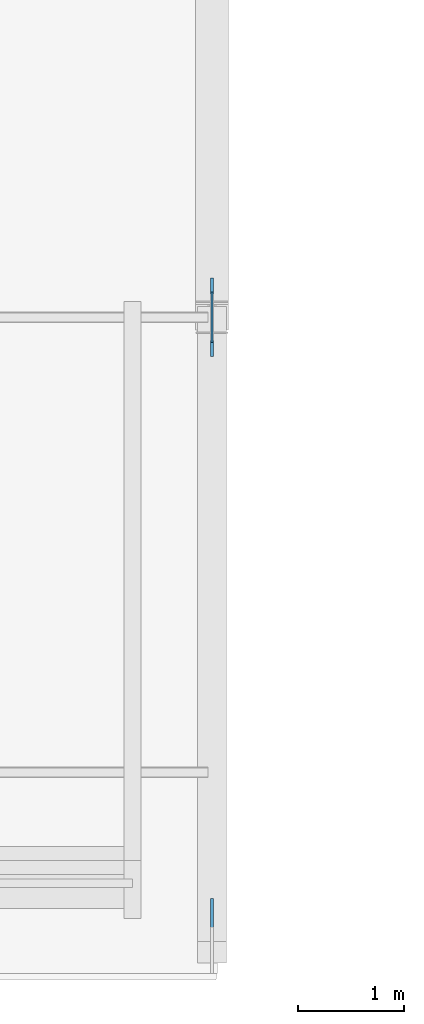
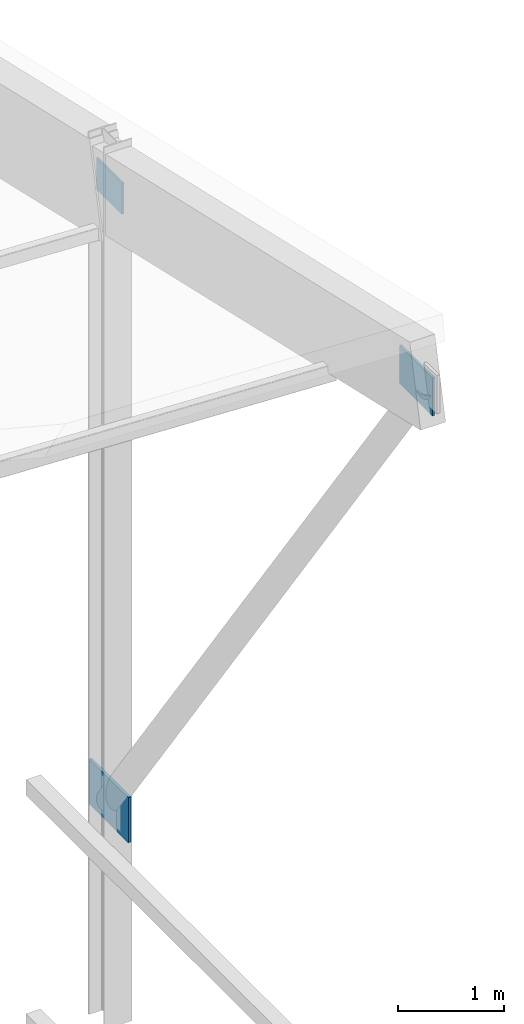
# One storey, part 33 of 51: 3 plates.
"""IFC4 building model written with IfcOpenShell, lengths in metres."""

from ifc_helpers import new_model, si_unit, direction, frame, origin, origin_2d, place, context, subcontext, project, spatial, rectangle, extrude, material, layer, layer_set, type_object, element, save


model = new_model("IFC4")

# Units and contexts
model_context = context("Model", 3, precision=1e-05, world=origin(), true_north=direction((0.0, 1.0)))
body_context = subcontext(model_context, "Body", "Model", "MODEL_VIEW")
ifc_project = project(units=[si_unit("LENGTHUNIT", "METRE"), si_unit("AREAUNIT", "SQUARE_METRE"), si_unit("VOLUMEUNIT", "CUBIC_METRE"), si_unit("PLANEANGLEUNIT", "RADIAN"), si_unit("MASSUNIT", "GRAM", prefix="KILO")], contexts=[model_context])

# Site, building, storey
site_placement = place(None, origin())
site = spatial("IfcSite", under=ifc_project, at=site_placement, CompositionType="ELEMENT")
building_placement = place(site_placement, origin())
building = spatial("IfcBuilding", under=site, at=building_placement, Name="Brisemont Oceanarium", CompositionType="ELEMENT")
storey_placement = place(building_placement, frame((0.0, 0.0, 15.0)))
storey = spatial("IfcBuildingStorey", under=building, at=storey_placement, Name="L03", CompositionType="ELEMENT", Elevation=15.0)

# Plates
ifc_material_1 = material(Name="Structural Steel ASTM A572 Gr.50", Category="steel")
ifc_layer_1 = layer(ifc_material_1, 0.030029296875)
ifc_layer_set_1 = layer_set([ifc_layer_1], Name="Structural Steel ASTM A572 Gr.50")
plate_type_1 = type_object("IfcPlateType", Name="PLT-NODE-TN1", PredefinedType="SHEET", material=ifc_layer_set_1)
plate_1_placement = place(storey_placement, frame((55.35009765625, 6.800048828125, 2.239990234375), z_axis=(0.0, 0.0, 1.0), x_axis=(1.0, 0.0, 0.0)))
element("IfcPlate", 1, at=plate_1_placement, inside=storey, type_object=plate_type_1, Name="V2 rafter-strut gusset node plate -TN1", PredefinedType="SHEET", context=body_context, shape_type="SweptSolid", body=[
    extrude(rectangle(XDim=0.030029296875, YDim=0.739990234375, at=origin_2d()), origin(), (0.0, 0.0, 1.0), 0.52001953125),
])
ifc_material_2 = material(Name="Structural Steel ASTM A572 Gr.50", Category="steel")
ifc_layer_2 = layer(ifc_material_2, 0.02490234375)
ifc_layer_set_2 = layer_set([ifc_layer_2], Name="Structural Steel ASTM A572 Gr.50")
plate_type_2 = type_object("IfcPlateType", Name="PLT-NODE-TN2", PredefinedType="SHEET", material=ifc_layer_set_2)
plate_2_placement = place(storey_placement, frame((55.35009765625, 1.0, 10.640869140625), z_axis=(0.0, 0.0, 1.0), x_axis=(1.0, 0.0, 0.0)))
element("IfcPlate", 2, at=plate_2_placement, inside=storey, type_object=plate_type_2, Name="V2 rafter-strut gusset node plate -TN2", PredefinedType="SHEET", context=body_context, shape_type="SweptSolid", body=[
    extrude(rectangle(XDim=0.02490234375, YDim=0.6201171875, at=origin_2d()), origin(), (0.0, 0.0, 1.0), 0.43994140625),
])
ifc_material_3 = material(Name="Structural Steel ASTM A572 Gr.50", Category="steel")
ifc_layer_3 = layer(ifc_material_3, 0.02197265625)
ifc_layer_set_3 = layer_set([ifc_layer_3], Name="Structural Steel ASTM A572 Gr.50")
plate_type_3 = type_object("IfcPlateType", Name="PLT-NODE-TN3", PredefinedType="SHEET", material=ifc_layer_set_3)
plate_3_placement = place(storey_placement, frame((55.35009765625, 6.800048828125, 9.4072265625), z_axis=(0.0, 0.0, 1.0), x_axis=(1.0, 0.0, 0.0)))
element("IfcPlate", 3, at=plate_3_placement, inside=storey, type_object=plate_type_3, Name="V2 rafter-strut gusset node plate -TN3", PredefinedType="SHEET", context=body_context, shape_type="SweptSolid", body=[
    extrude(rectangle(XDim=0.02197265625, YDim=0.47998046875, at=origin_2d()), origin(), (0.0, 0.0, 1.0), 0.360107421875),
])

save(model, "model.ifc")
